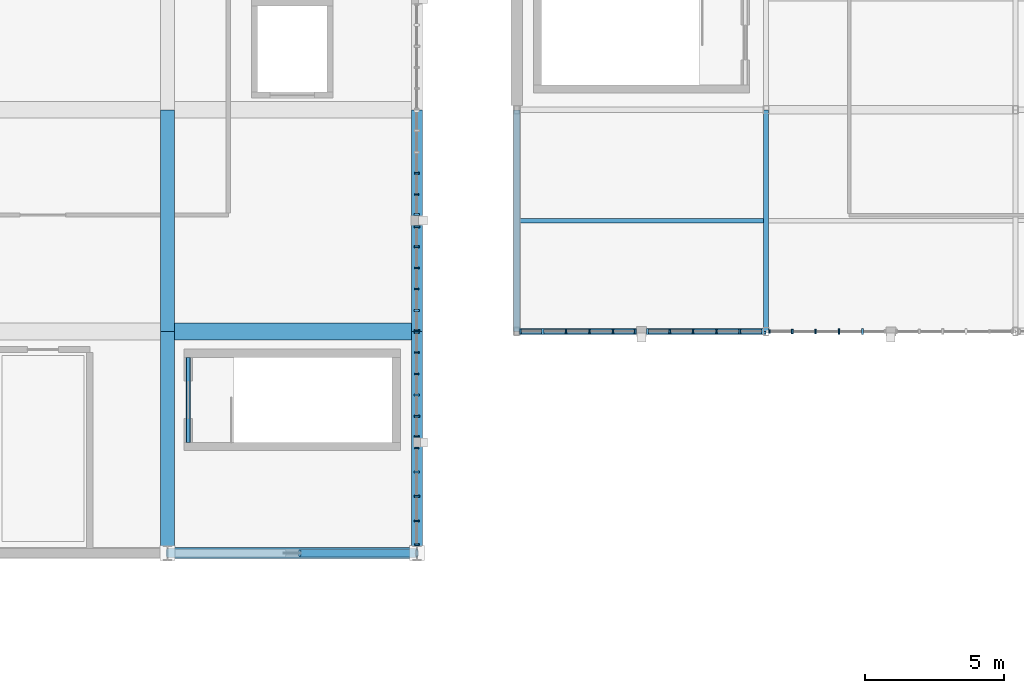
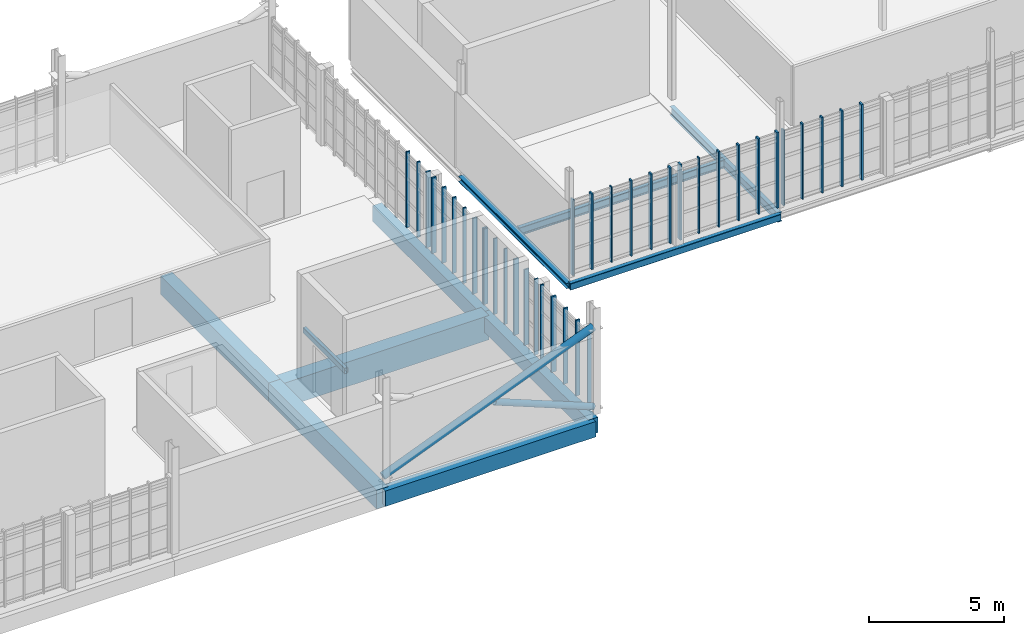
# One storey, part 23 of 128: 39 members, 11 beams, 7 elements without a shape of their own.
"""IFC4 building model written with IfcOpenShell, lengths in metres."""

from ifc_helpers import new_model, si_unit, direction, frame, origin, origin_2d, place, context, subcontext, project, spatial, rectangle, hollow_rectangle, hollow_circle, i_section, extrude, material, material_profile, profile_set, type_object, element, aggregate, save


model = new_model("IFC4")

# Units and contexts
model_context = context("Model", 3, precision=1e-05, world=origin(), true_north=direction((0.0, 1.0)))
body_context = subcontext(model_context, "Body", "Model", "MODEL_VIEW")
ifc_project = project(units=[si_unit("LENGTHUNIT", "METRE"), si_unit("AREAUNIT", "SQUARE_METRE"), si_unit("VOLUMEUNIT", "CUBIC_METRE"), si_unit("PLANEANGLEUNIT", "RADIAN"), si_unit("MASSUNIT", "GRAM", prefix="KILO")], contexts=[model_context])

# Site, building, storey
site_placement = place(None, origin())
site = spatial("IfcSite", under=ifc_project, at=site_placement, CompositionType="ELEMENT")
building_placement = place(site_placement, origin())
building = spatial("IfcBuilding", under=site, at=building_placement, Name="Serraforn Aerial Cableway Station", CompositionType="ELEMENT")
storey_placement = place(building_placement, frame((0.0, 0.0, 9.0)))
storey = spatial("IfcBuildingStorey", under=building, at=storey_placement, Name="L02", CompositionType="ELEMENT", Elevation=9.0)

# Beams
ifc_material_1 = material(Name="Concrete C35/45", Category="concrete")
ifc_material_profile_1 = material_profile(ifc_material_1, rectangle(XDim=0.39990234375, YDim=0.699951171875, at=origin_2d()), Name="RC 400x700")
ifc_profile_set_1 = profile_set([ifc_material_profile_1], Name="Concrete C35/45")
beam_type_1 = type_object("IfcBeamType", Name="BM-RC-400x700E", PredefinedType="SPANDREL", material=ifc_profile_set_1)
beam_1_placement = place(storey_placement, frame((81.60009765625, 18.0, -0.7099609375), z_axis=(1.0, 0.0, 0.0), x_axis=(0.0, 1.0, 0.0)))
element("IfcBeam", 1, at=beam_1_placement, inside=storey, type_object=beam_type_1, Name="Grid Girder X CV L02 Y1-7", PredefinedType="SPANDREL", context=body_context, shape_type="SweptSolid", body=[
    extrude(rectangle(XDim=0.39990234375, YDim=0.699951171875, at=origin_2d()), origin(), (0.0, 0.0, 1.0), 9.0),
])
for number, where, z_axis, x_axis, name in (
    (2, (90.60009765625, 18.0, -0.7099609375), (0.0, 1.0, 0.0), (-1.0, 0.0, 0.0), "Grid Girder Y CV L02 X8-1"),
    (3, (90.60009765625, 26.0, -0.7099609375), (0.0, 1.0, 0.0), (-1.0, 0.0, 0.0), "Grid Girder Y CV L02 X8-2"),
):
    element("IfcBeam", number, at=place(storey_placement, frame(where, z_axis=z_axis, x_axis=x_axis)), inside=storey, type_object=beam_type_1, Name=name, PredefinedType="SPANDREL", context=body_context, shape_type="SweptSolid", body=[
        extrude(rectangle(XDim=0.39990234375, YDim=0.699951171875, at=origin_2d()), origin(), (0.0, 0.0, 1.0), 8.0),
    ])
ifc_material_profile_2 = material_profile(ifc_material_1, rectangle(XDim=0.5, YDim=0.85009765625, at=origin_2d()), Name="RC 500x850")
ifc_profile_set_2 = profile_set([ifc_material_profile_2], Name="Concrete C35/45")
beam_type_2 = type_object("IfcBeamType", Name="BM-RC-500x850", PredefinedType="USERDEFINED", material=ifc_profile_set_2)
for number, where, z_axis, x_axis, name in (
    (4, (81.60009765625, 18.0, -0.784912109375), (0.0, 1.0, 0.0), (-1.0, 0.0, 0.0), "Grid Girder Y CV L02 X7-1"),
    (5, (81.60009765625, 26.0, -0.784912109375), (0.0, 1.0, 0.0), (-1.0, 0.0, 0.0), "Grid Girder Y CV L02 X7-2"),
):
    element("IfcBeam", number, at=place(storey_placement, frame(where, z_axis=z_axis, x_axis=x_axis)), inside=storey, type_object=beam_type_2, Name=name, ObjectType="GIRDER", PredefinedType="USERDEFINED", context=body_context, shape_type="SweptSolid", body=[
        extrude(rectangle(XDim=0.5, YDim=0.85009765625, at=origin_2d()), origin(), (0.0, 0.0, 1.0), 8.0),
    ])
ifc_material_2 = material(Name="Concrete C40/50", Category="concrete")
ifc_material_profile_3 = material_profile(ifc_material_2, rectangle(XDim=0.60009765625, YDim=1.10009765625, at=origin_2d()), Name="RC 600x1100")
ifc_profile_set_3 = profile_set([ifc_material_profile_3], Name="Concrete C40/50")
beam_type_3 = type_object("IfcBeamType", Name="BM-RC-600x1100", PredefinedType="USERDEFINED", material=ifc_profile_set_3)
beam_2_placement = place(storey_placement, frame((81.60009765625, 26.0, -0.909912109375), z_axis=(1.0, 0.0, 0.0), x_axis=(0.0, 1.0, 0.0)))
element("IfcBeam", 6, at=beam_2_placement, inside=storey, type_object=beam_type_3, Name="Grid Girder X CV L02 Y2-7", ObjectType="GIRDER", PredefinedType="USERDEFINED", context=body_context, shape_type="SweptSolid", body=[
    extrude(rectangle(XDim=0.60009765625, YDim=1.10009765625, at=origin_2d()), origin(), (0.0, 0.0, 1.0), 9.0),
])
ifc_material_3 = material(Name="Steel S355JR", Category="steel")
ifc_material_profile_4 = material_profile(ifc_material_3, i_section(OverallWidth=0.239990234375, OverallDepth=0.239990234375, WebThickness=0.007568359375, FlangeThickness=0.011962890625, FilletRadius=0.02099609375, at=origin_2d()), Name="HEA 240")
ifc_profile_set_4 = profile_set([ifc_material_profile_4], Name="Steel S355JR")
beam_type_4 = type_object("IfcBeamType", Name="BM-ST-HEA240", PredefinedType="BEAM", material=ifc_profile_set_4)
beam_3_placement = place(storey_placement, frame((94.199951171875, 26.0, -0.43994140625), z_axis=(0.0, 1.0, 0.0), x_axis=(-1.0, 0.0, 0.0)))
element("IfcBeam", 7, at=beam_3_placement, inside=storey, type_object=beam_type_4, Name="Grid Girder Y EL L02 X1-1", PredefinedType="BEAM", context=body_context, shape_type="SweptSolid", body=[
    extrude(i_section(OverallWidth=0.239990234375, OverallDepth=0.239990234375, WebThickness=0.007568359375, FlangeThickness=0.011962890625, FilletRadius=0.02099609375, at=origin_2d()), origin(), (0.0, 0.0, 1.0), 8.0),
])
ifc_material_profile_5 = material_profile(ifc_material_3, i_section(OverallWidth=0.169921875, OverallDepth=0.360107421875, WebThickness=0.008056640625, FlangeThickness=0.0126953125, FilletRadius=0.01806640625, at=origin_2d()), Name="IPE 360")
ifc_profile_set_5 = profile_set([ifc_material_profile_5], Name="Steel S355JR")
beam_type_5 = type_object("IfcBeamType", Name="BM-ST-IPE360", PredefinedType="JOIST", material=ifc_profile_set_5)
beam_4_placement = place(storey_placement, frame((94.320068359375, 30.0, -0.455078125), z_axis=(1.0, 0.0, 0.0), x_axis=(0.0, 1.0, 0.0)))
element("IfcBeam", 8, at=beam_4_placement, inside=storey, type_object=beam_type_5, Name="Floor Joist EL-L02-1-1-1", PredefinedType="JOIST", context=body_context, shape_type="SweptSolid", body=[
    extrude(i_section(OverallWidth=0.169921875, OverallDepth=0.360107421875, WebThickness=0.008056640625, FlangeThickness=0.0126953125, FilletRadius=0.01806640625, at=origin_2d()), origin(), (0.0, 0.0, 1.0), 8.7900390625),
])
ifc_material_profile_6 = material_profile(ifc_material_3, i_section(OverallWidth=0.179931640625, OverallDepth=0.39990234375, WebThickness=0.008544921875, FlangeThickness=0.013427734375, FilletRadius=0.02099609375, at=origin_2d()), Name="IPE 400")
ifc_profile_set_6 = profile_set([ifc_material_profile_6], Name="Steel S355JR")
beam_type_6 = type_object("IfcBeamType", Name="BM-ST-IPE400", PredefinedType="BEAM", material=ifc_profile_set_6)
beam_5_placement = place(storey_placement, frame((103.199951171875, 26.0, -0.52001953125), z_axis=(0.0, 1.0, 0.0), x_axis=(-1.0, 0.0, 0.0)))
element("IfcBeam", 9, at=beam_5_placement, inside=storey, type_object=beam_type_6, Name="Grid Girder Y EL L02 X2-1", PredefinedType="BEAM", context=body_context, shape_type="SweptSolid", body=[
    extrude(i_section(OverallWidth=0.179931640625, OverallDepth=0.39990234375, WebThickness=0.008544921875, FlangeThickness=0.013427734375, FilletRadius=0.02099609375, at=origin_2d()), origin(), (0.0, 0.0, 1.0), 8.0),
])
ifc_material_4 = material(Name="Steel S355J2", Category="steel")
ifc_material_profile_7 = material_profile(ifc_material_4, hollow_rectangle(XDim=0.14990234375, YDim=0.25, WallThickness=0.010009765625, InnerFilletRadius=0.010009765625, OuterFilletRadius=0.02001953125, at=origin_2d()), Name="RHS 250x150x10.0")
ifc_profile_set_7 = profile_set([ifc_material_profile_7], Name="Steel S355J2")
beam_type_7 = type_object("IfcBeamType", Name="BM-ST-RHS250", PredefinedType="LINTEL", material=ifc_profile_set_7)
beam_6_placement = place(storey_placement, frame((82.35009765625, 22.0, 2.27490234375), z_axis=(0.0, 1.0, 0.0), x_axis=(-1.0, 0.0, 0.0)))
element("IfcBeam", 10, at=beam_6_placement, inside=storey, type_object=beam_type_7, Name="Stair Core Door Lintel D-S28", PredefinedType="LINTEL", context=body_context, shape_type="SweptSolid", body=[
    extrude(hollow_rectangle(XDim=0.14990234375, YDim=0.25, WallThickness=0.010009765625, InnerFilletRadius=0.010009765625, OuterFilletRadius=0.02001953125, at=origin_2d()), origin(), (0.0, 0.0, 1.0), 3.06005859375),
])
ifc_material_profile_8 = material_profile(ifc_material_4, hollow_rectangle(XDim=0.199951171875, YDim=0.300048828125, WallThickness=0.012451171875, InnerFilletRadius=0.012451171875, OuterFilletRadius=0.02490234375, at=origin_2d()), Name="RHS 300x200x12.5")
ifc_profile_set_8 = profile_set([ifc_material_profile_8], Name="Steel S355J2")
beam_type_8 = type_object("IfcBeamType", Name="BM-ST-RHS300", PredefinedType="SPANDREL", material=ifc_profile_set_8)
beam_7_placement = place(storey_placement, frame((94.199951171875, 26.0, -0.469970703125), z_axis=(1.0, 0.0, 0.0), x_axis=(0.0, 1.0, 0.0)))
element("IfcBeam", 11, at=beam_7_placement, inside=storey, type_object=beam_type_8, Name="Grid Girder X EL L02 Y1-1", PredefinedType="SPANDREL", context=body_context, shape_type="SweptSolid", body=[
    extrude(hollow_rectangle(XDim=0.199951171875, YDim=0.300048828125, WallThickness=0.012451171875, InnerFilletRadius=0.012451171875, OuterFilletRadius=0.02490234375, at=origin_2d()), origin(), (0.0, 0.0, 1.0), 9.0),
])

# Curtain wall, member
ifc_material_5 = material(Name="Anodised bronze unitised curtain wall")
curtain_wall_type_1 = type_object("IfcCurtainWallType", Name="CW-SYS-27", PredefinedType="USERDEFINED", material=ifc_material_5)
curtain_wall_1_placement = place(storey_placement, origin())
curtain_wall_1 = element("IfcCurtainWall", 12, at=curtain_wall_1_placement, inside=storey, type_object=curtain_wall_type_1, Name="Unitised Curtain Wall CW-CV-L02-E1A", ObjectType="UNITISED CURTAIN WALL", PredefinedType="USERDEFINED")
ifc_material_6 = material(Name="Anodised bronze extruded aluminium", Category="aluminium")
ifc_material_profile_9 = material_profile(ifc_material_6, rectangle(XDim=0.054931640625, YDim=0.139892578125, at=origin_2d()), Name="CW MULLION 55x140")
ifc_profile_set_9 = profile_set([ifc_material_profile_9], Name="Anodised bronze extruded aluminium")
member_type_1 = type_object("IfcMemberType", Name="CW-MUL-1", PredefinedType="MULLION", material=ifc_profile_set_9)
member_1_placement = place(storey_placement, frame((90.60009765625, 21.79248046875, 0.0), z_axis=(0.0, 0.0, 1.0), x_axis=(0.0, 1.0, 0.0)))
member_1 = element("IfcMember", 13, at=member_1_placement, type_object=member_type_1, Name="Curtain Wall Mullion CW-CV-L02-E1A-M5", PredefinedType="MULLION", context=body_context, shape_type="SweptSolid", body=[
    extrude(rectangle(XDim=0.054931640625, YDim=0.139892578125, at=origin_2d()), origin(), (0.0, 0.0, 1.0), 3.419921875),
])

curtain_wall_type_2 = type_object("IfcCurtainWallType", Name="CW-SYS-28", PredefinedType="USERDEFINED", material=ifc_material_5)
curtain_wall_2_placement = place(storey_placement, origin())
curtain_wall_2 = element("IfcCurtainWall", 14, at=curtain_wall_2_placement, inside=storey, type_object=curtain_wall_type_2, Name="Unitised Curtain Wall CW-CV-L02-E1B", ObjectType="UNITISED CURTAIN WALL", PredefinedType="USERDEFINED")
member_2_placement = place(storey_placement, frame((90.60009765625, 24.471923828125, 0.0), z_axis=(0.0, 0.0, 1.0), x_axis=(0.0, 1.0, 0.0)))
member_2 = element("IfcMember", 15, at=member_2_placement, type_object=member_type_1, Name="Curtain Wall Mullion CW-CV-L02-E1B-M4", PredefinedType="MULLION", context=body_context, shape_type="SweptSolid", body=[
    extrude(rectangle(XDim=0.054931640625, YDim=0.139892578125, at=origin_2d()), origin(), (0.0, 0.0, 1.0), 3.419921875),
])

curtain_wall_type_3 = type_object("IfcCurtainWallType", Name="CW-SYS-1", PredefinedType="USERDEFINED", material=ifc_material_5)
curtain_wall_3_placement = place(storey_placement, origin())
curtain_wall_3 = element("IfcCurtainWall", 16, at=curtain_wall_3_placement, inside=storey, type_object=curtain_wall_type_3, Name="Unitised Curtain Wall CW-CV-L02-E2A", ObjectType="UNITISED CURTAIN WALL", PredefinedType="USERDEFINED")
member_3_placement = place(storey_placement, frame((90.60009765625, 27.528076171875, 0.0), z_axis=(0.0, 0.0, 1.0), x_axis=(0.0, 1.0, 0.0)))
member_3 = element("IfcMember", 17, at=member_3_placement, type_object=member_type_1, Name="Curtain Wall Mullion CW-CV-L02-E2A-M3", PredefinedType="MULLION", context=body_context, shape_type="SweptSolid", body=[
    extrude(rectangle(XDim=0.054931640625, YDim=0.139892578125, at=origin_2d()), origin(), (0.0, 0.0, 1.0), 3.419921875),
])

curtain_wall_type_4 = type_object("IfcCurtainWallType", Name="CW-SYS-2", PredefinedType="USERDEFINED", material=ifc_material_5)
curtain_wall_4_placement = place(storey_placement, origin())
curtain_wall_4 = element("IfcCurtainWall", 18, at=curtain_wall_4_placement, inside=storey, type_object=curtain_wall_type_4, Name="Unitised Curtain Wall CW-CV-L02-E2B", ObjectType="UNITISED CURTAIN WALL", PredefinedType="USERDEFINED")
member_4_placement = place(storey_placement, frame((90.60009765625, 30.944091796875, 0.0), z_axis=(0.0, 0.0, 1.0), x_axis=(0.0, 1.0, 0.0)))
member_4 = element("IfcMember", 19, at=member_4_placement, type_object=member_type_1, Name="Curtain Wall Mullion CW-CV-L02-E2B-M2", PredefinedType="MULLION", context=body_context, shape_type="SweptSolid", body=[
    extrude(rectangle(XDim=0.054931640625, YDim=0.139892578125, at=origin_2d()), origin(), (0.0, 0.0, 1.0), 3.419921875),
])

curtain_wall_type_5 = type_object("IfcCurtainWallType", Name="CW-SYS-23", PredefinedType="USERDEFINED", material=ifc_material_5)
curtain_wall_5_placement = place(storey_placement, origin())
curtain_wall_5 = element("IfcCurtainWall", 20, at=curtain_wall_5_placement, inside=storey, type_object=curtain_wall_type_5, Name="Unitised Curtain Wall CW-EL-L02-S1A", ObjectType="UNITISED CURTAIN WALL", PredefinedType="USERDEFINED")
member_5_placement = place(storey_placement, frame((95.98681640625, 26.0, 0.0), z_axis=(0.0, 0.0, 1.0), x_axis=(1.0, 0.0, 0.0)))
member_5 = element("IfcMember", 21, at=member_5_placement, type_object=member_type_1, Name="Curtain Wall Mullion CW-EL-L02-S1A-M3", PredefinedType="MULLION", context=body_context, shape_type="SweptSolid", body=[
    extrude(rectangle(XDim=0.054931640625, YDim=0.139892578125, at=origin_2d()), origin(), (0.0, 0.0, 1.0), 3.419921875),
])

curtain_wall_type_6 = type_object("IfcCurtainWallType", Name="CW-SYS-24", PredefinedType="USERDEFINED", material=ifc_material_5)
curtain_wall_6_placement = place(storey_placement, origin())
curtain_wall_6 = element("IfcCurtainWall", 22, at=curtain_wall_6_placement, inside=storey, type_object=curtain_wall_type_6, Name="Unitised Curtain Wall CW-EL-L02-S1B", ObjectType="UNITISED CURTAIN WALL", PredefinedType="USERDEFINED")
member_6_placement = place(storey_placement, frame((99.724365234375, 26.0, 0.0), z_axis=(0.0, 0.0, 1.0), x_axis=(1.0, 0.0, 0.0)))
member_6 = element("IfcMember", 23, at=member_6_placement, type_object=member_type_1, Name="Curtain Wall Mullion CW-EL-L02-S1B-M2", PredefinedType="MULLION", context=body_context, shape_type="SweptSolid", body=[
    extrude(rectangle(XDim=0.054931640625, YDim=0.139892578125, at=origin_2d()), origin(), (0.0, 0.0, 1.0), 3.419921875),
])

curtain_wall_type_7 = type_object("IfcCurtainWallType", Name="CW-SYS-25", PredefinedType="USERDEFINED", material=ifc_material_5)
curtain_wall_7_placement = place(storey_placement, origin())
curtain_wall_7 = element("IfcCurtainWall", 24, at=curtain_wall_7_placement, inside=storey, type_object=curtain_wall_type_7, Name="Unitised Curtain Wall CW-EL-L02-S2A", ObjectType="UNITISED CURTAIN WALL", PredefinedType="USERDEFINED")
member_7_placement = place(storey_placement, frame((103.325439453125, 26.0, 0.0), z_axis=(0.0, 0.0, 1.0), x_axis=(1.0, 0.0, 0.0)))
member_7 = element("IfcMember", 25, at=member_7_placement, type_object=member_type_1, Name="Curtain Wall Mullion CW-EL-L02-S2A-M1", PredefinedType="MULLION", context=body_context, shape_type="SweptSolid", body=[
    extrude(rectangle(XDim=0.054931640625, YDim=0.139892578125, at=origin_2d()), origin(), (0.0, 0.0, 1.0), 3.419921875),
])

# Member
ifc_material_profile_10 = material_profile(ifc_material_6, rectangle(XDim=0.06005859375, YDim=0.159912109375, at=origin_2d()), Name="CW MULLION 60x160")
ifc_profile_set_10 = profile_set([ifc_material_profile_10], Name="Anodised bronze extruded aluminium")
member_type_2 = type_object("IfcMemberType", Name="CW-MUL-2", PredefinedType="MULLION", material=ifc_profile_set_10)
member_8_placement = place(storey_placement, frame((90.60009765625, 18.302978515625, 0.0), z_axis=(0.0, 0.0, 1.0), x_axis=(0.0, 1.0, 0.0)))
member_8 = element("IfcMember", 26, at=member_8_placement, type_object=member_type_2, Name="Curtain Wall Mullion CW-CV-L02-E1A-M1", PredefinedType="MULLION", context=body_context, shape_type="SweptSolid", body=[
    extrude(rectangle(XDim=0.06005859375, YDim=0.159912109375, at=origin_2d()), origin(), (0.0, 0.0, 1.0), 3.419921875),
])

member_9_placement = place(storey_placement, frame((90.60009765625, 25.236083984375, 0.0), z_axis=(0.0, 0.0, 1.0), x_axis=(0.0, 1.0, 0.0)))
member_9 = element("IfcMember", 27, at=member_9_placement, type_object=member_type_2, Name="Curtain Wall Mullion CW-CV-L02-E1B-M5", PredefinedType="MULLION", context=body_context, shape_type="SweptSolid", body=[
    extrude(rectangle(XDim=0.06005859375, YDim=0.159912109375, at=origin_2d()), origin(), (0.0, 0.0, 1.0), 3.419921875),
])

member_10_placement = place(storey_placement, frame((90.60009765625, 28.2919921875, 0.0), z_axis=(0.0, 0.0, 1.0), x_axis=(0.0, 1.0, 0.0)))
member_10 = element("IfcMember", 28, at=member_10_placement, type_object=member_type_2, Name="Curtain Wall Mullion CW-CV-L02-E2A-M4", PredefinedType="MULLION", context=body_context, shape_type="SweptSolid", body=[
    extrude(rectangle(XDim=0.06005859375, YDim=0.159912109375, at=origin_2d()), origin(), (0.0, 0.0, 1.0), 3.419921875),
])

member_11_placement = place(storey_placement, frame((90.60009765625, 31.7080078125, 0.0), z_axis=(0.0, 0.0, 1.0), x_axis=(0.0, 1.0, 0.0)))
member_11 = element("IfcMember", 29, at=member_11_placement, type_object=member_type_2, Name="Curtain Wall Mullion CW-CV-L02-E2B-M3", PredefinedType="MULLION", context=body_context, shape_type="SweptSolid", body=[
    extrude(rectangle(XDim=0.06005859375, YDim=0.159912109375, at=origin_2d()), origin(), (0.0, 0.0, 1.0), 3.419921875),
])

member_12_placement = place(storey_placement, frame((96.831298828125, 26.0, 0.0), z_axis=(0.0, 0.0, 1.0), x_axis=(1.0, 0.0, 0.0)))
member_12 = element("IfcMember", 30, at=member_12_placement, type_object=member_type_2, Name="Curtain Wall Mullion CW-EL-L02-S1A-M4", PredefinedType="MULLION", context=body_context, shape_type="SweptSolid", body=[
    extrude(rectangle(XDim=0.06005859375, YDim=0.159912109375, at=origin_2d()), origin(), (0.0, 0.0, 1.0), 3.419921875),
])

member_13_placement = place(storey_placement, frame((100.56884765625, 26.0, 0.0), z_axis=(0.0, 0.0, 1.0), x_axis=(1.0, 0.0, 0.0)))
member_13 = element("IfcMember", 31, at=member_13_placement, type_object=member_type_2, Name="Curtain Wall Mullion CW-EL-L02-S1B-M3", PredefinedType="MULLION", context=body_context, shape_type="SweptSolid", body=[
    extrude(rectangle(XDim=0.06005859375, YDim=0.159912109375, at=origin_2d()), origin(), (0.0, 0.0, 1.0), 3.419921875),
])

member_14_placement = place(storey_placement, frame((104.142333984375, 26.0, 0.0), z_axis=(0.0, 0.0, 1.0), x_axis=(1.0, 0.0, 0.0)))
member_14 = element("IfcMember", 32, at=member_14_placement, type_object=member_type_2, Name="Curtain Wall Mullion CW-EL-L02-S2A-M2", PredefinedType="MULLION", context=body_context, shape_type="SweptSolid", body=[
    extrude(rectangle(XDim=0.06005859375, YDim=0.159912109375, at=origin_2d()), origin(), (0.0, 0.0, 1.0), 3.419921875),
])

ifc_material_profile_11 = material_profile(ifc_material_6, rectangle(XDim=0.06494140625, YDim=0.175048828125, at=origin_2d()), Name="CW MULLION 65x175")
ifc_profile_set_11 = profile_set([ifc_material_profile_11], Name="Anodised bronze extruded aluminium")
member_type_3 = type_object("IfcMemberType", Name="CW-MUL-3", PredefinedType="MULLION", material=ifc_profile_set_11)
member_15_placement = place(storey_placement, frame((90.60009765625, 19.15966796875, 0.0), z_axis=(0.0, 0.0, 1.0), x_axis=(0.0, 1.0, 0.0)))
member_15 = element("IfcMember", 33, at=member_15_placement, type_object=member_type_3, Name="Curtain Wall Mullion CW-CV-L02-E1A-M2", PredefinedType="MULLION", context=body_context, shape_type="SweptSolid", body=[
    extrude(rectangle(XDim=0.06494140625, YDim=0.175048828125, at=origin_2d()), origin(), (0.0, 0.0, 1.0), 3.419921875),
])

member_16_placement = place(storey_placement, frame((90.60009765625, 22.21240234375, 0.0), z_axis=(0.0, 0.0, 1.0), x_axis=(0.0, 1.0, 0.0)))
member_16 = element("IfcMember", 34, at=member_16_placement, type_object=member_type_3, Name="Curtain Wall Mullion CW-CV-L02-E1B-M1", PredefinedType="MULLION", context=body_context, shape_type="SweptSolid", body=[
    extrude(rectangle(XDim=0.06494140625, YDim=0.175048828125, at=origin_2d()), origin(), (0.0, 0.0, 1.0), 3.419921875),
])

member_17_placement = place(storey_placement, frame((90.60009765625, 25.967529296875, 0.0), z_axis=(0.0, 0.0, 1.0), x_axis=(0.0, 1.0, 0.0)))
member_17 = element("IfcMember", 35, at=member_17_placement, type_object=member_type_3, Name="Curtain Wall Mullion CW-CV-L02-E1B-M6", PredefinedType="MULLION", context=body_context, shape_type="SweptSolid", body=[
    extrude(rectangle(XDim=0.06494140625, YDim=0.175048828125, at=origin_2d()), origin(), (0.0, 0.0, 1.0), 3.419921875),
])

member_18_placement = place(storey_placement, frame((90.60009765625, 29.055908203125, 0.0), z_axis=(0.0, 0.0, 1.0), x_axis=(0.0, 1.0, 0.0)))
member_18 = element("IfcMember", 36, at=member_18_placement, type_object=member_type_3, Name="Curtain Wall Mullion CW-CV-L02-E2A-M5", PredefinedType="MULLION", context=body_context, shape_type="SweptSolid", body=[
    extrude(rectangle(XDim=0.06494140625, YDim=0.175048828125, at=origin_2d()), origin(), (0.0, 0.0, 1.0), 3.419921875),
])

member_19_placement = place(storey_placement, frame((97.675537109375, 26.0, 0.0), z_axis=(0.0, 0.0, 1.0), x_axis=(1.0, 0.0, 0.0)))
member_19 = element("IfcMember", 37, at=member_19_placement, type_object=member_type_3, Name="Curtain Wall Mullion CW-EL-L02-S1A-M5", PredefinedType="MULLION", context=body_context, shape_type="SweptSolid", body=[
    extrude(rectangle(XDim=0.06494140625, YDim=0.175048828125, at=origin_2d()), origin(), (0.0, 0.0, 1.0), 3.419921875),
])

member_20_placement = place(storey_placement, frame((101.4130859375, 26.0, 0.0), z_axis=(0.0, 0.0, 1.0), x_axis=(1.0, 0.0, 0.0)))
member_20 = element("IfcMember", 38, at=member_20_placement, type_object=member_type_3, Name="Curtain Wall Mullion CW-EL-L02-S1B-M4", PredefinedType="MULLION", context=body_context, shape_type="SweptSolid", body=[
    extrude(rectangle(XDim=0.06494140625, YDim=0.175048828125, at=origin_2d()), origin(), (0.0, 0.0, 1.0), 3.419921875),
])

member_21_placement = place(storey_placement, frame((104.98681640625, 26.0, 0.0), z_axis=(0.0, 0.0, 1.0), x_axis=(1.0, 0.0, 0.0)))
member_21 = element("IfcMember", 39, at=member_21_placement, type_object=member_type_3, Name="Curtain Wall Mullion CW-EL-L02-S2A-M3", PredefinedType="MULLION", context=body_context, shape_type="SweptSolid", body=[
    extrude(rectangle(XDim=0.06494140625, YDim=0.175048828125, at=origin_2d()), origin(), (0.0, 0.0, 1.0), 3.419921875),
])

ifc_material_profile_12 = material_profile(ifc_material_6, rectangle(XDim=0.070068359375, YDim=0.18994140625, at=origin_2d()), Name="CW MULLION 70x190")
ifc_profile_set_12 = profile_set([ifc_material_profile_12], Name="Anodised bronze extruded aluminium")
member_type_4 = type_object("IfcMemberType", Name="CW-MUL-4", PredefinedType="MULLION", material=ifc_profile_set_12)
member_22_placement = place(storey_placement, frame((90.60009765625, 20.04638671875, 0.0), z_axis=(0.0, 0.0, 1.0), x_axis=(0.0, 1.0, 0.0)))
member_22 = element("IfcMember", 40, at=member_22_placement, type_object=member_type_4, Name="Curtain Wall Mullion CW-CV-L02-E1A-M3", PredefinedType="MULLION", context=body_context, shape_type="SweptSolid", body=[
    extrude(rectangle(XDim=0.070068359375, YDim=0.18994140625, at=origin_2d()), origin(), (0.0, 0.0, 1.0), 3.419921875),
])

member_23_placement = place(storey_placement, frame((90.60009765625, 22.944091796875, 0.0), z_axis=(0.0, 0.0, 1.0), x_axis=(0.0, 1.0, 0.0)))
member_23 = element("IfcMember", 41, at=member_23_placement, type_object=member_type_4, Name="Curtain Wall Mullion CW-CV-L02-E1B-M2", PredefinedType="MULLION", context=body_context, shape_type="SweptSolid", body=[
    extrude(rectangle(XDim=0.070068359375, YDim=0.18994140625, at=origin_2d()), origin(), (0.0, 0.0, 1.0), 3.419921875),
])

member_24_placement = place(storey_placement, frame((90.60009765625, 26.034912109375, 0.0), z_axis=(0.0, 0.0, 1.0), x_axis=(0.0, 1.0, 0.0)))
member_24 = element("IfcMember", 42, at=member_24_placement, type_object=member_type_4, Name="Curtain Wall Mullion CW-CV-L02-E2A-M1", PredefinedType="MULLION", context=body_context, shape_type="SweptSolid", body=[
    extrude(rectangle(XDim=0.070068359375, YDim=0.18994140625, at=origin_2d()), origin(), (0.0, 0.0, 1.0), 3.419921875),
])

member_25_placement = place(storey_placement, frame((90.60009765625, 29.784912109375, 0.0), z_axis=(0.0, 0.0, 1.0), x_axis=(0.0, 1.0, 0.0)))
member_25 = element("IfcMember", 43, at=member_25_placement, type_object=member_type_4, Name="Curtain Wall Mullion CW-CV-L02-E2A-M6", PredefinedType="MULLION", context=body_context, shape_type="SweptSolid", body=[
    extrude(rectangle(XDim=0.070068359375, YDim=0.18994140625, at=origin_2d()), origin(), (0.0, 0.0, 1.0), 3.419921875),
])

member_26_placement = place(storey_placement, frame((94.3330078125, 26.0, 0.0), z_axis=(0.0, 0.0, 1.0), x_axis=(1.0, 0.0, 0.0)))
member_26 = element("IfcMember", 44, at=member_26_placement, type_object=member_type_4, Name="Curtain Wall Mullion CW-EL-L02-S1A-M1", PredefinedType="MULLION", context=body_context, shape_type="SweptSolid", body=[
    extrude(rectangle(XDim=0.070068359375, YDim=0.18994140625, at=origin_2d()), origin(), (0.0, 0.0, 1.0), 3.419921875),
])

member_27_placement = place(storey_placement, frame((98.485107421875, 26.0, 0.0), z_axis=(0.0, 0.0, 1.0), x_axis=(1.0, 0.0, 0.0)))
member_27 = element("IfcMember", 45, at=member_27_placement, type_object=member_type_4, Name="Curtain Wall Mullion CW-EL-L02-S1A-M6", PredefinedType="MULLION", context=body_context, shape_type="SweptSolid", body=[
    extrude(rectangle(XDim=0.070068359375, YDim=0.18994140625, at=origin_2d()), origin(), (0.0, 0.0, 1.0), 3.419921875),
])

member_28_placement = place(storey_placement, frame((102.257568359375, 26.0, 0.0), z_axis=(0.0, 0.0, 1.0), x_axis=(1.0, 0.0, 0.0)))
member_28 = element("IfcMember", 46, at=member_28_placement, type_object=member_type_4, Name="Curtain Wall Mullion CW-EL-L02-S1B-M5", PredefinedType="MULLION", context=body_context, shape_type="SweptSolid", body=[
    extrude(rectangle(XDim=0.070068359375, YDim=0.18994140625, at=origin_2d()), origin(), (0.0, 0.0, 1.0), 3.419921875),
])

member_29_placement = place(storey_placement, frame((105.831298828125, 26.0, 0.0), z_axis=(0.0, 0.0, 1.0), x_axis=(1.0, 0.0, 0.0)))
member_29 = element("IfcMember", 47, at=member_29_placement, type_object=member_type_4, Name="Curtain Wall Mullion CW-EL-L02-S2A-M4", PredefinedType="MULLION", context=body_context, shape_type="SweptSolid", body=[
    extrude(rectangle(XDim=0.070068359375, YDim=0.18994140625, at=origin_2d()), origin(), (0.0, 0.0, 1.0), 3.419921875),
])

ifc_material_profile_13 = material_profile(ifc_material_6, rectangle(XDim=0.074951171875, YDim=0.199951171875, at=origin_2d()), Name="CW MULLION 75x200")
ifc_profile_set_13 = profile_set([ifc_material_profile_13], Name="Anodised bronze extruded aluminium")
member_type_5 = type_object("IfcMemberType", Name="CW-MUL-5", PredefinedType="MULLION", material=ifc_profile_set_13)
member_30_placement = place(storey_placement, frame((90.60009765625, 20.933349609375, 0.0), z_axis=(0.0, 0.0, 1.0), x_axis=(0.0, 1.0, 0.0)))
member_30 = element("IfcMember", 48, at=member_30_placement, type_object=member_type_5, Name="Curtain Wall Mullion CW-CV-L02-E1A-M4", PredefinedType="MULLION", context=body_context, shape_type="SweptSolid", body=[
    extrude(rectangle(XDim=0.074951171875, YDim=0.199951171875, at=origin_2d()), origin(), (0.0, 0.0, 1.0), 3.419921875),
])

aggregate(curtain_wall_1, [member_8, member_15, member_22, member_30, member_1])

member_31_placement = place(storey_placement, frame((90.60009765625, 23.7080078125, 0.0), z_axis=(0.0, 0.0, 1.0), x_axis=(0.0, 1.0, 0.0)))
member_31 = element("IfcMember", 49, at=member_31_placement, type_object=member_type_5, Name="Curtain Wall Mullion CW-CV-L02-E1B-M3", PredefinedType="MULLION", context=body_context, shape_type="SweptSolid", body=[
    extrude(rectangle(XDim=0.074951171875, YDim=0.199951171875, at=origin_2d()), origin(), (0.0, 0.0, 1.0), 3.419921875),
])

aggregate(curtain_wall_2, [member_16, member_23, member_31, member_2, member_9, member_17])

member_32_placement = place(storey_placement, frame((90.60009765625, 26.763916015625, 0.0), z_axis=(0.0, 0.0, 1.0), x_axis=(0.0, 1.0, 0.0)))
member_32 = element("IfcMember", 50, at=member_32_placement, type_object=member_type_5, Name="Curtain Wall Mullion CW-CV-L02-E2A-M2", PredefinedType="MULLION", context=body_context, shape_type="SweptSolid", body=[
    extrude(rectangle(XDim=0.074951171875, YDim=0.199951171875, at=origin_2d()), origin(), (0.0, 0.0, 1.0), 3.419921875),
])

aggregate(curtain_wall_3, [member_24, member_32, member_3, member_10, member_18, member_25])

member_33_placement = place(storey_placement, frame((90.60009765625, 30.217529296875, 0.0), z_axis=(0.0, 0.0, 1.0), x_axis=(0.0, 1.0, 0.0)))
member_33 = element("IfcMember", 51, at=member_33_placement, type_object=member_type_5, Name="Curtain Wall Mullion CW-CV-L02-E2B-M1", PredefinedType="MULLION", context=body_context, shape_type="SweptSolid", body=[
    extrude(rectangle(XDim=0.074951171875, YDim=0.199951171875, at=origin_2d()), origin(), (0.0, 0.0, 1.0), 3.419921875),
])

aggregate(curtain_wall_4, [member_33, member_4, member_11])

member_34_placement = place(storey_placement, frame((95.142333984375, 26.0, 0.0), z_axis=(0.0, 0.0, 1.0), x_axis=(1.0, 0.0, 0.0)))
member_34 = element("IfcMember", 52, at=member_34_placement, type_object=member_type_5, Name="Curtain Wall Mullion CW-EL-L02-S1A-M2", PredefinedType="MULLION", context=body_context, shape_type="SweptSolid", body=[
    extrude(rectangle(XDim=0.074951171875, YDim=0.199951171875, at=origin_2d()), origin(), (0.0, 0.0, 1.0), 3.419921875),
])

aggregate(curtain_wall_5, [member_26, member_34, member_5, member_12, member_19, member_27])

member_35_placement = place(storey_placement, frame((98.91748046875, 26.0, 0.0), z_axis=(0.0, 0.0, 1.0), x_axis=(1.0, 0.0, 0.0)))
member_35 = element("IfcMember", 53, at=member_35_placement, type_object=member_type_5, Name="Curtain Wall Mullion CW-EL-L02-S1B-M1", PredefinedType="MULLION", context=body_context, shape_type="SweptSolid", body=[
    extrude(rectangle(XDim=0.074951171875, YDim=0.199951171875, at=origin_2d()), origin(), (0.0, 0.0, 1.0), 3.419921875),
])

member_36_placement = place(storey_placement, frame((103.064453125, 26.0, 0.0), z_axis=(0.0, 0.0, 1.0), x_axis=(1.0, 0.0, 0.0)))
member_36 = element("IfcMember", 54, at=member_36_placement, type_object=member_type_5, Name="Curtain Wall Mullion CW-EL-L02-S1B-M6", PredefinedType="MULLION", context=body_context, shape_type="SweptSolid", body=[
    extrude(rectangle(XDim=0.074951171875, YDim=0.199951171875, at=origin_2d()), origin(), (0.0, 0.0, 1.0), 3.419921875),
])

aggregate(curtain_wall_6, [member_35, member_6, member_13, member_20, member_28, member_36])

member_37_placement = place(storey_placement, frame((106.675537109375, 26.0, 0.0), z_axis=(0.0, 0.0, 1.0), x_axis=(1.0, 0.0, 0.0)))
member_37 = element("IfcMember", 55, at=member_37_placement, type_object=member_type_5, Name="Curtain Wall Mullion CW-EL-L02-S2A-M5", PredefinedType="MULLION", context=body_context, shape_type="SweptSolid", body=[
    extrude(rectangle(XDim=0.074951171875, YDim=0.199951171875, at=origin_2d()), origin(), (0.0, 0.0, 1.0), 3.419921875),
])

aggregate(curtain_wall_7, [member_7, member_14, member_21, member_29, member_37])

# Members
ifc_material_profile_14 = material_profile(ifc_material_4, hollow_circle(Radius=0.136474609375, WallThickness=0.012451171875, at=origin_2d()), Name="CHS 273.0x12.5")
ifc_profile_set_14 = profile_set([ifc_material_profile_14], Name="Steel S355J2")
member_type_6 = type_object("IfcMemberType", Name="MEM-WB-CHS273", PredefinedType="BRACE", material=ifc_profile_set_14)
member_38_placement = place(storey_placement, frame((86.3701171875, 18.0, 1.89208984375), z_axis=(0.9284656033, 0.0, -0.371418394117), x_axis=(0.0, 1.0, 0.0)))
element("IfcMember", 56, at=member_38_placement, inside=storey, type_object=member_type_6, Name="Split X-Brace Lower Segment 2-2", PredefinedType="BRACE", context=body_context, shape_type="SweptSolid", body=[
    extrude(hollow_circle(Radius=0.136474609375, WallThickness=0.012451171875, at=origin_2d()), origin(), (0.0, 0.0, 1.0), 4.555908203125),
])
ifc_material_profile_15 = material_profile(ifc_material_4, hollow_circle(Radius=0.161865234375, WallThickness=0.01611328125, at=origin_2d()), Name="CHS 323.9x16.0")
ifc_profile_set_15 = profile_set([ifc_material_profile_15], Name="Steel S355J2")
member_type_7 = type_object("IfcMemberType", Name="MEM-WB-CHS324", PredefinedType="BRACE", material=ifc_profile_set_15)
member_39_placement = place(storey_placement, frame((81.60009765625, 18.0, 0.199951171875), z_axis=(0.928473216852, 0.0, 0.37139936132), x_axis=(0.0, 1.0, 0.0)))
element("IfcMember", 57, at=member_39_placement, inside=storey, type_object=member_type_7, Name="High-Level Lateral Wind Brace 2", PredefinedType="BRACE", context=body_context, shape_type="SweptSolid", body=[
    extrude(hollow_circle(Radius=0.161865234375, WallThickness=0.01611328125, at=origin_2d()), origin(), (0.0, 0.0, 1.0), 9.693359375),
])

save(model, "model.ifc")
